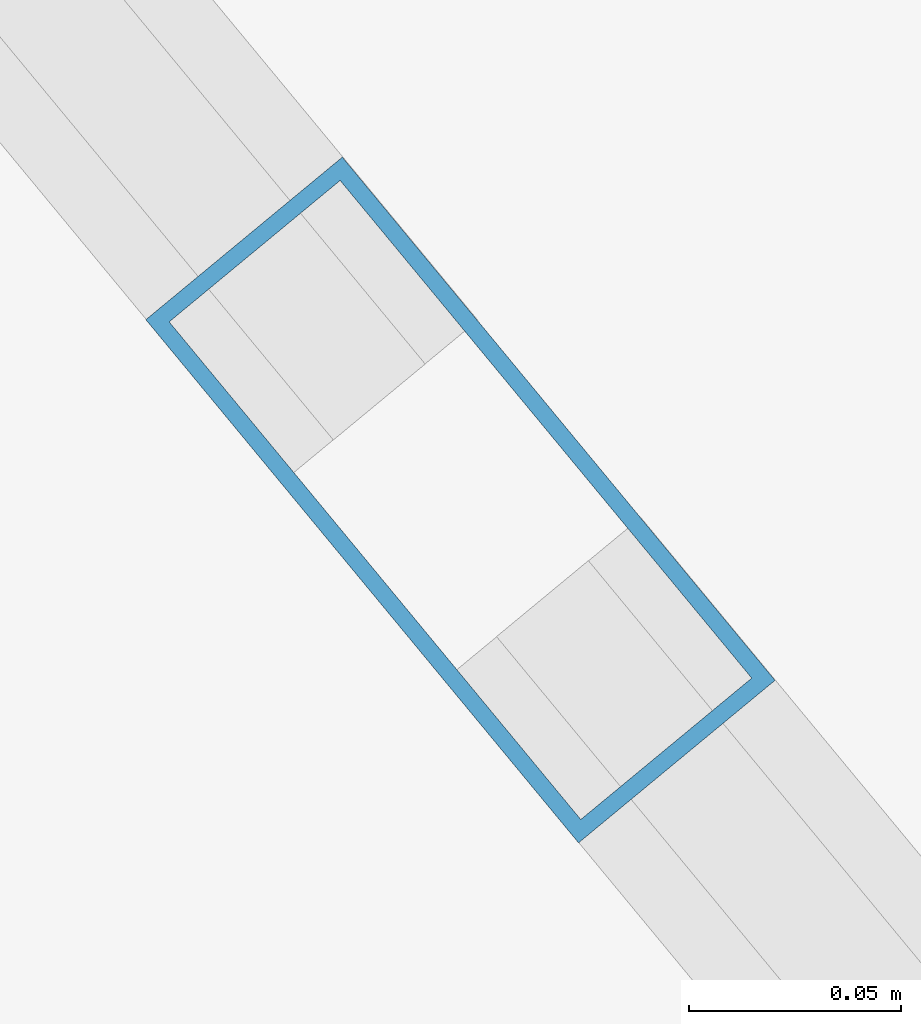
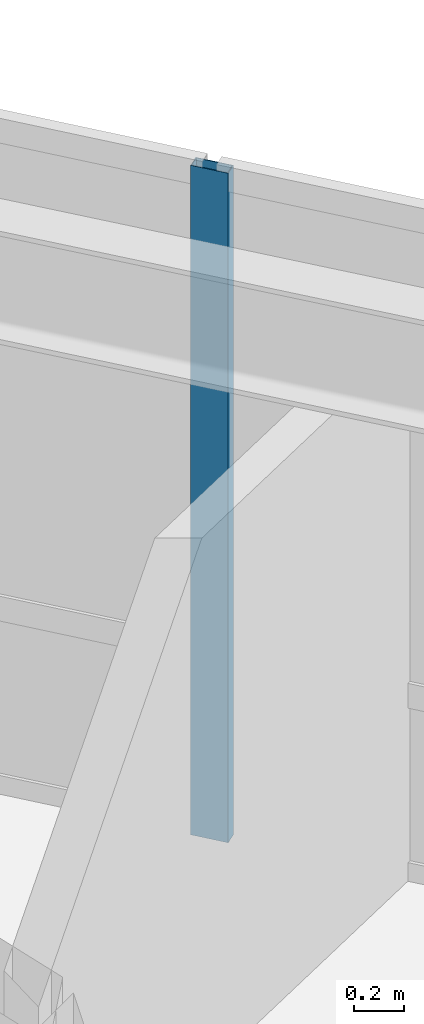
# One storey, part 15 of 28: 1 member, 1 element without a shape of its own.
"""IFC4 building model written with IfcOpenShell, lengths in metres."""

import ifcopenshell
import ifcopenshell.guid

model = None  # the IFC model being written
_history = None  # IfcOwnerHistory: only IFC2X3 demands one
_inside = {}  # id of a spatial element -> (the spatial element, [elements in it])
_under = {}  # id of a project, library or spatial element -> (it, [spatial elements below it])
_declared = {}  # id of a project -> (the project, [libraries it declares])
_typed = {}  # id of a type object -> (the type object, [elements of that type])
_made_of = {}  # id of a material, layer set ... -> (it, [elements and type objects made of it])


def new_model(schema):
    """Start an empty IFC model of exactly this schema.

    Asked for "IFC4X3", IfcOpenShell would pick the latest addendum, in which some entities
    have other attributes; the version numbers below select the first issue.
    IFC2X3 requires an IfcOwnerHistory on every rooted entity: one is made here for all.
    """
    global model, _history
    if schema == "IFC4X3":
        model = ifcopenshell.file(schema_version=(4, 3, 0, 0))
    else:
        model = ifcopenshell.file(schema=schema)
    _inside.clear()
    _under.clear()
    _declared.clear()
    _typed.clear()
    _made_of.clear()
    _history = None
    if model.schema == "IFC2X3":
        org = make("IfcOrganization", Name="unknown")
        user = make(
            "IfcPersonAndOrganization",
            ThePerson=make("IfcPerson", FamilyName="unknown"),
            TheOrganization=org,
        )
        app = make(
            "IfcApplication",
            ApplicationDeveloper=org,
            Version="unknown",
            ApplicationFullName="unknown",
            ApplicationIdentifier="unknown",
        )
        _history = make(
            "IfcOwnerHistory",
            OwningUser=user,
            OwningApplication=app,
            ChangeAction="ADDED",
            CreationDate=0,
        )
    return model


def make(cls, **values):
    """One entity of the class cls with the attributes given. An attribute that is None is left unset."""
    return model.create_entity(
        cls, **{name: value for name, value in values.items() if value is not None}
    )


def rooted(cls, **values):
    """An entity with a GlobalId (a new one), such as an element, a storey or a relation."""
    return make(cls, GlobalId=ifcopenshell.guid.new(), OwnerHistory=_history, **values)


def si_unit(unit_type, name, prefix=None):
    """IfcSIUnit, for example si_unit("LENGTHUNIT", "METRE", prefix="MILLI")."""
    return make("IfcSIUnit", UnitType=unit_type, Prefix=prefix, Name=name)


def assignment(units):
    """IfcUnitAssignment: the units of a project."""
    return None if units is None else make("IfcUnitAssignment", Units=units)


def point(xyz):
    """IfcCartesianPoint."""
    return None if xyz is None else make("IfcCartesianPoint", Coordinates=xyz)


def direction(xyz):
    """IfcDirection."""
    return None if xyz is None else make("IfcDirection", DirectionRatios=xyz)


def frame(location, z_axis=None, x_axis=None):
    """IfcAxis2Placement3D, a coordinate frame: its origin and axes. An axis left out is left unset."""
    return make(
        "IfcAxis2Placement3D",
        Location=point(location),
        Axis=direction(z_axis),
        RefDirection=direction(x_axis),
    )


def frame_2d(location, x_axis=None):
    """IfcAxis2Placement2D, a coordinate frame in the plane: its origin and x axis."""
    return make(
        "IfcAxis2Placement2D", Location=point(location), RefDirection=direction(x_axis)
    )


def origin():
    """The frame at (0, 0, 0) with its axes left unset."""
    return frame((0.0, 0.0, 0.0))


def origin_2d():
    """The frame at (0, 0) in the plane with its x axis left unset."""
    return frame_2d((0.0, 0.0))


def place(relative_to, where):
    """IfcLocalPlacement: puts the frame where relative to a parent placement (None: the world)."""
    return make(
        "IfcLocalPlacement", PlacementRelTo=relative_to, RelativePlacement=where
    )


def context(
    kind, dimensions, precision=None, world=None, true_north=None, identifier=None
):
    """IfcGeometricRepresentationContext, for example the 3D "Model" context."""
    return make(
        "IfcGeometricRepresentationContext",
        ContextIdentifier=identifier,
        ContextType=kind,
        CoordinateSpaceDimension=dimensions,
        Precision=precision,
        WorldCoordinateSystem=world,
        TrueNorth=true_north,
    )


def subcontext(parent, identifier, kind, view, scale=None):
    """IfcGeometricRepresentationSubContext, for example "Body" below "Model"."""
    return make(
        "IfcGeometricRepresentationSubContext",
        ContextIdentifier=identifier,
        ContextType=kind,
        ParentContext=parent,
        TargetScale=scale,
        TargetView=view,
    )


def project(units=None, contexts=None):
    """IfcProject with its units and contexts."""
    return rooted(
        "IfcProject",
        Name="project",
        RepresentationContexts=contexts,
        UnitsInContext=assignment(units),
    )


def spatial(cls, under=None, at=None, **own):
    """A site, building, storey or space (cls), placed at a placement, below another one or the project."""
    s = rooted(cls, ObjectPlacement=at, **own)
    if under is not None:
        _under.setdefault(under.id(), (under, []))[1].append(s)
    return s


def profile(cls, at=None, kind="AREA", **sizes):
    """A parametric profile (cls). Its sizes go by their IFC names, for example OverallWidth=200.0."""
    return make(cls, ProfileType=kind, Position=at, **sizes)


def hollow_rectangle(**sizes):
    """IfcRectangleHollowProfileDef."""
    return profile("IfcRectangleHollowProfileDef", **sizes)


def extrude(swept, where, along, depth):
    """IfcExtrudedAreaSolid: the profile swept, set in the frame where, extruded along a direction by depth."""
    return make(
        "IfcExtrudedAreaSolid",
        SweptArea=swept,
        Position=where,
        ExtrudedDirection=direction(along),
        Depth=depth,
    )


def shape(context_of_items, identifier, shape_type, items):
    """IfcShapeRepresentation: the items that make up one representation, for example the "Body"."""
    return make(
        "IfcShapeRepresentation",
        ContextOfItems=context_of_items,
        RepresentationIdentifier=identifier,
        RepresentationType=shape_type,
        Items=items,
    )


def material(Name=None, Category=None):
    """IfcMaterial."""
    return make("IfcMaterial", Name=Name, Category=Category)


def layer(
    of_material, thickness, ventilated=None, Name=None, Category=None, Priority=None
):
    """IfcMaterialLayer: one layer of a wall or slab, of a material (None: an air gap)."""
    return make(
        "IfcMaterialLayer",
        Material=of_material,
        LayerThickness=thickness,
        IsVentilated=ventilated,
        Name=Name,
        Category=Category,
        Priority=Priority,
    )


def layer_set(layers, Name=None):
    """IfcMaterialLayerSet."""
    return make("IfcMaterialLayerSet", MaterialLayers=layers, LayerSetName=Name)


def material_profile(
    of_material, cross_section, Name=None, Category=None, Priority=None
):
    """IfcMaterialProfile: a cross section and its material."""
    return make(
        "IfcMaterialProfile",
        Name=Name,
        Material=of_material,
        Profile=cross_section,
        Priority=Priority,
        Category=Category,
    )


def profile_set(profiles, Name=None, composite=None):
    """IfcMaterialProfileSet."""
    return make(
        "IfcMaterialProfileSet",
        Name=Name,
        MaterialProfiles=profiles,
        CompositeProfile=composite,
    )


def made_of(thing, what):
    """Note that an element or type object is made of a material, layer set ...; save() writes the relation."""
    if what is not None:
        _made_of.setdefault(what.id(), (what, []))[1].append(thing)
    return thing


def type_object(cls, material=None, **own):
    """A type object (cls), such as IfcWallType, which elements share."""
    return made_of(rooted(cls, **own), material)


def element(
    cls,
    number,
    at=None,
    inside=None,
    cuts=None,
    type_object=None,
    material=None,
    context=None,
    identifier="Body",
    shape_type=None,
    held_by="IfcProductDefinitionShape",
    body=None,
    shapes=None,
    **own,
):
    """One element of the class cls, such as IfcWall. Its Tag is "e" and its number.

    at: its placement. inside: the storey or other place that contains it. cuts: it is an
    opening in that element (IfcRelVoidsElement). A single representation is given by context,
    identifier, shape_type and body (its items); several are given by shapes. held_by: the class
    of the entity that holds the representations. save() writes the other relations.
    """
    e = rooted(cls, Tag="e%d" % number, ObjectPlacement=at, **own)
    if body is not None:
        shapes = [shape(context, identifier, shape_type, body)]
    if shapes is not None:
        e.Representation = make(held_by, Representations=shapes)
    if inside is not None:
        _inside.setdefault(inside.id(), (inside, []))[1].append(e)
    if cuts is not None:
        rooted(
            "IfcRelVoidsElement", RelatingBuildingElement=cuts, RelatedOpeningElement=e
        )
    if type_object is not None:
        _typed.setdefault(type_object.id(), (type_object, []))[1].append(e)
    return made_of(e, material)


def aggregate(whole, parts):
    """IfcRelAggregates: a whole, such as a stair, and the parts it consists of."""
    return rooted("IfcRelAggregates", RelatingObject=whole, RelatedObjects=parts)


def save(model, path):
    """Write the relations noted so far, then the file.

    IfcRelAggregates (storeys below a building ...), IfcRelContainedInSpatialStructure (elements
    in a storey), IfcRelDefinesByType, IfcRelAssociatesMaterial and IfcRelDeclares: one each for
    every whole, place, type object, material and project.
    """
    for whole, parts in _under.values():
        aggregate(whole, parts)
    for where, things in _inside.values():
        rooted(
            "IfcRelContainedInSpatialStructure",
            RelatedElements=things,
            RelatingStructure=where,
        )
    for kind, things in _typed.values():
        rooted("IfcRelDefinesByType", RelatedObjects=things, RelatingType=kind)
    for what, things in _made_of.values():
        rooted("IfcRelAssociatesMaterial", RelatedObjects=things, RelatingMaterial=what)
    for by, libraries in _declared.values():
        rooted("IfcRelDeclares", RelatingContext=by, RelatedDefinitions=libraries)
    model.write(path)


model = new_model("IFC4")

# Units and contexts
model_context = context("Model", 3, precision=1e-05, world=origin(), true_north=direction((0.0, 1.0)))
body_context = subcontext(model_context, "Body", "Model", "MODEL_VIEW")
ifc_project = project(units=[si_unit("LENGTHUNIT", "METRE"), si_unit("AREAUNIT", "SQUARE_METRE"), si_unit("VOLUMEUNIT", "CUBIC_METRE"), si_unit("PLANEANGLEUNIT", "RADIAN"), si_unit("MASSUNIT", "GRAM", prefix="KILO")], contexts=[model_context])

# Site, building, storey
site_placement = place(None, origin())
site = spatial("IfcSite", under=ifc_project, at=site_placement, CompositionType="ELEMENT")
building_placement = place(site_placement, origin())
building = spatial("IfcBuilding", under=site, at=building_placement, Name="Sarneth Arch Tower", CompositionType="ELEMENT")
storey_placement = place(building_placement, frame((0.0, 0.0, 197.39990234375)))
storey = spatial("IfcBuildingStorey", under=building, at=storey_placement, Name="L50", CompositionType="ELEMENT", Elevation=197.39990234375)

# Curtain wall, member
ifc_material_1 = material(Name="Anodised aluminium Type AA25 and solar-control low-e laminated IGU", Category="aluminium")
ifc_layer = layer(ifc_material_1, 0.169921875)
ifc_layer_set = layer_set([ifc_layer], Name="Anodised aluminium Type AA25 and solar-control low-e laminated IGU")
curtain_wall_type = type_object("IfcCurtainWallType", Name="CW-RES-MID", PredefinedType="NOTDEFINED", material=ifc_layer_set)
curtain_wall_placement = place(storey_placement, origin())
curtain_wall = element("IfcCurtainWall", 1, at=curtain_wall_placement, inside=storey, type_object=curtain_wall_type, Name="L50 Unitised curtain wall facet 02", PredefinedType="NOTDEFINED")
ifc_material_2 = material(Name="Anodised Aluminium 6063-T6", Category="aluminium")
ifc_material_profile = material_profile(ifc_material_2, hollow_rectangle(XDim=0.06005859375, YDim=0.159912109375, WallThickness=0.00390625, at=origin_2d()), Name="AL-MULL-160x60x4")
ifc_profile_set = profile_set([ifc_material_profile], Name="Anodised Aluminium 6063-T6")
member_type = type_object("IfcMemberType", Name="CW-MULLION", PredefinedType="MULLION", material=ifc_profile_set)
member_placement = place(storey_placement, frame((69.46142578125, 54.626220703125, 0.0), z_axis=(0.0, 0.0, 1.0), x_axis=(-0.770590741276, -0.637330298558, 0.0)))
member = element("IfcMember", 2, at=member_placement, type_object=member_type, Name="CW-SYS-5 mullion 3", PredefinedType="MULLION", context=body_context, shape_type="SweptSolid", body=[
    extrude(hollow_rectangle(XDim=0.06005859375, YDim=0.159912109375, WallThickness=0.00390625, at=origin_2d()), origin(), (0.0, 0.0, 1.0), 3.25),
])
aggregate(curtain_wall, [member])

save(model, "model.ifc")
